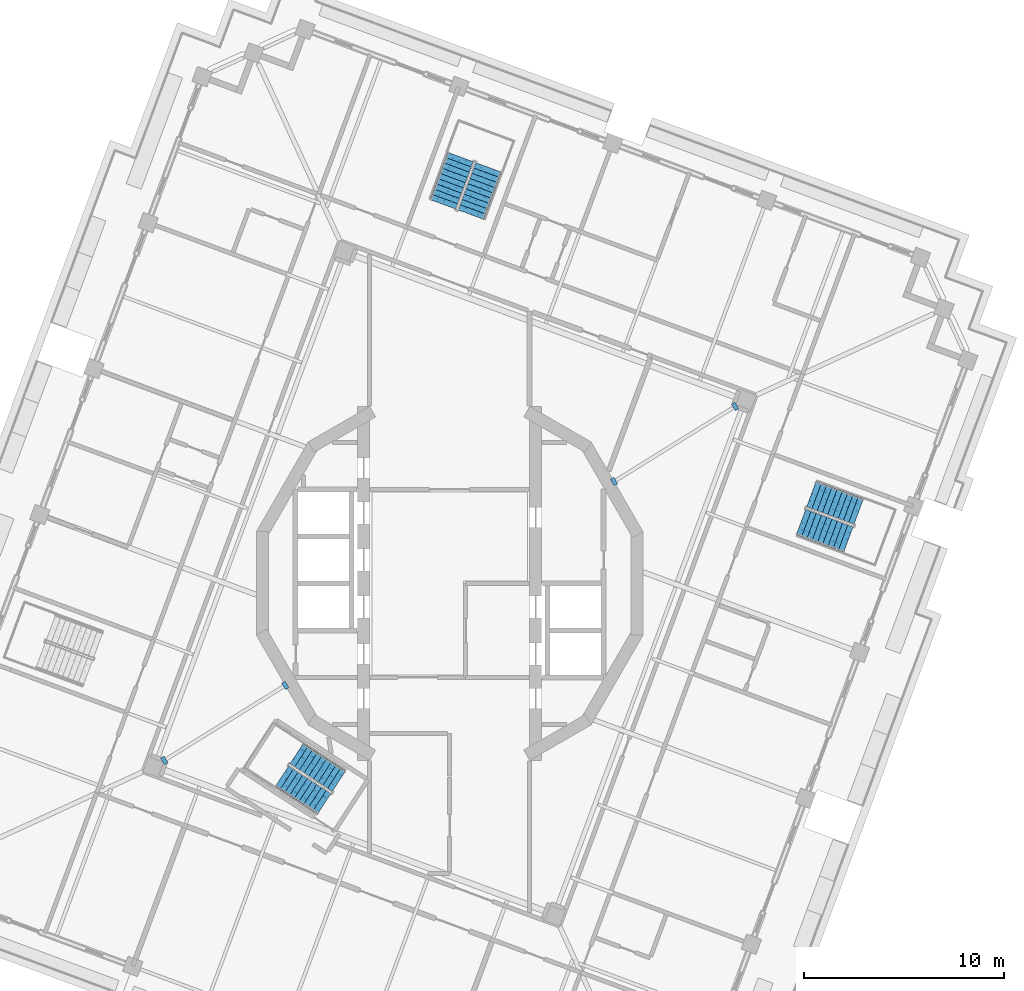
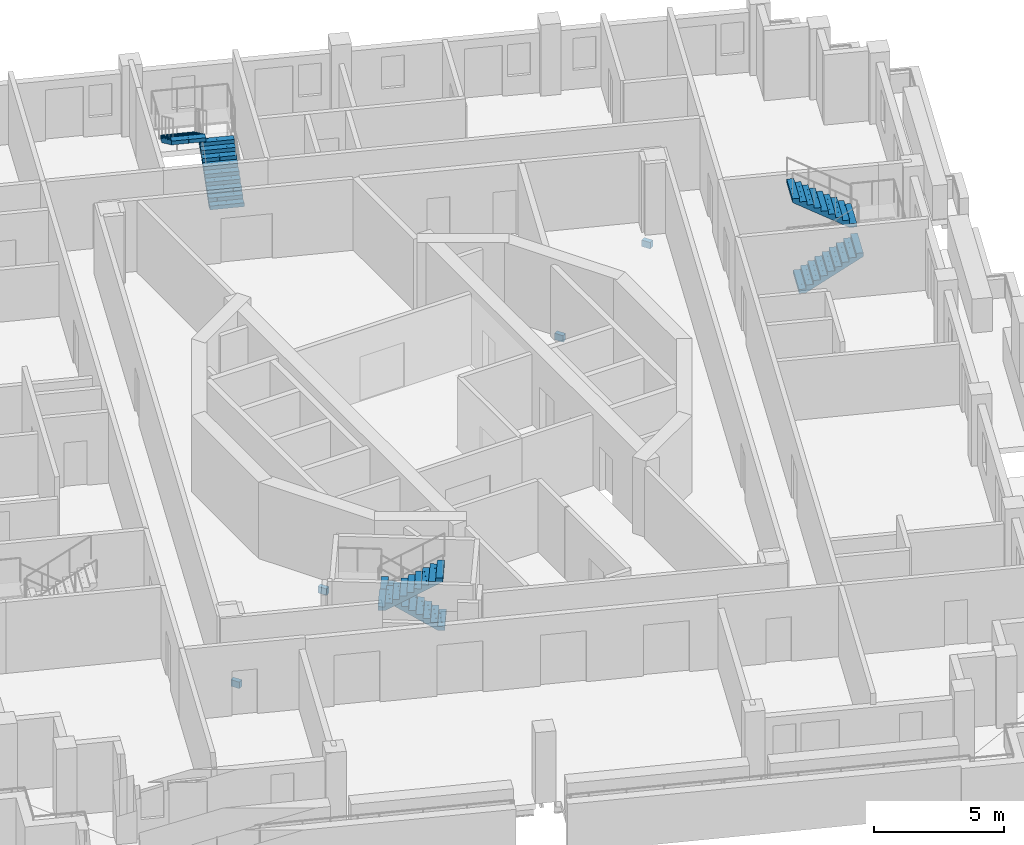
# One storey, part 10 of 18: 6 stair flights, 4 discrete accessories, 3 elements without a shape of their own.
"""IFC4 building model written with IfcOpenShell, lengths in metres."""

from ifc_helpers import new_model, si_unit, direction, frame, origin, place, context, subcontext, project, spatial, polyline, outline, extrude, material, layer, layer_set, type_object, element, aggregate, save


model = new_model("IFC4")

# Units and contexts
model_context = context("Model", 3, precision=1e-05, world=origin(), true_north=direction((0.0, 1.0)))
body_context = subcontext(model_context, "Body", "Model", "MODEL_VIEW")
ifc_project = project(units=[si_unit("LENGTHUNIT", "METRE"), si_unit("AREAUNIT", "SQUARE_METRE"), si_unit("VOLUMEUNIT", "CUBIC_METRE"), si_unit("PLANEANGLEUNIT", "RADIAN"), si_unit("MASSUNIT", "GRAM", prefix="KILO")], contexts=[model_context])

# Site, building, storey
site_placement = place(None, origin())
site = spatial("IfcSite", under=ifc_project, at=site_placement, CompositionType="ELEMENT")
building_placement = place(site_placement, origin())
building = spatial("IfcBuilding", under=site, at=building_placement, Name="Cantera Rosa Tower", CompositionType="ELEMENT")
storey_placement = place(building_placement, frame((0.0, 0.0, 316.89990234375)))
storey = spatial("IfcBuildingStorey", under=building, at=storey_placement, Name="L70", CompositionType="ELEMENT", Elevation=316.89990234375)

# Stair, stair flights
ifc_material_1 = material(Name="Concrete C35/45", Category="concrete")
stair_type_1 = type_object("IfcStairType", Name="EXIT STAIR 1200 DOGLEG", PredefinedType="HALF_TURN_STAIR", material=ifc_material_1)
stair_1_placement = place(storey_placement, origin())
stair_1 = element("IfcStair", 1, at=stair_1_placement, inside=storey, type_object=stair_type_1, Name="L70 ST-64", PredefinedType="HALF_TURN_STAIR")
ifc_material_2 = material(Name="Concrete C35/45", Category="concrete")
stair_flight_type_1 = type_object("IfcStairFlightType", Name="STAIR FLIGHT 1200 R20x180", PredefinedType="STRAIGHT", material=ifc_material_2)
stair_flight_1_placement = place(storey_placement, frame((-5.532470703125, -9.878173828125, 0.0), z_axis=(0.0, 0.0, 1.0), x_axis=(-0.838670567945, 0.544639035015, 0.0)))
stair_flight_1 = element("IfcStairFlight", 2, at=stair_flight_1_placement, type_object=stair_flight_type_1, Name="ST-64 flight 1", NumberOfRisers=10, NumberOfTreads=9, PredefinedType="STRAIGHT", RiserHeight=0.18, TreadLength=0.28, context=body_context, shape_type="SweptSolid", body=[
    extrude(outline(polyline([(0.0, 0.0), (0.0, 0.179931640625), (0.280029296875, 0.179931640625), (0.280029296875, 0.360107421875), (0.56005859375, 0.360107421875), (0.56005859375, 0.5400390625), (0.840087890625, 0.5400390625), (0.840087890625, 0.719970703125), (1.1201171875, 0.719970703125), (1.1201171875, 0.89990234375), (1.39990234375, 0.89990234375), (1.39990234375, 1.080078125), (1.679931640625, 1.080078125), (1.679931640625, 1.260009765625), (1.9599609375, 1.260009765625), (1.9599609375, 1.43994140625), (2.239990234375, 1.43994140625), (2.239990234375, 1.6201171875), (2.52001953125, 1.6201171875), (2.52001953125, 1.800048828125), (2.52001953125, 1.44189453125), (0.277099609375, 0.0), (0.0, 0.0)])), frame((0.0, 0.60009765625, 0.0), z_axis=(0.0, -1.0, 0.0), x_axis=(1.0, 0.0, 0.0)), (0.0, 0.0, 1.0), 0.298583984375),
    extrude(outline(polyline([(0.0, 0.0), (0.0, 0.179931640625), (0.280029296875, 0.179931640625), (0.280029296875, 0.360107421875), (0.56005859375, 0.360107421875), (0.56005859375, 0.5400390625), (0.840087890625, 0.5400390625), (0.840087890625, 0.719970703125), (1.1201171875, 0.719970703125), (1.1201171875, 0.89990234375), (1.39990234375, 0.89990234375), (1.39990234375, 1.080078125), (1.679931640625, 1.080078125), (1.679931640625, 1.260009765625), (1.9599609375, 1.260009765625), (1.9599609375, 1.43994140625), (2.239990234375, 1.43994140625), (2.239990234375, 1.6201171875), (2.52001953125, 1.6201171875), (2.52001953125, 1.800048828125), (2.52001953125, 1.44189453125), (0.277099609375, 0.0), (0.0, 0.0)])), frame((0.0, 0.29931640625, 0.0), z_axis=(0.0, -1.0, 0.0), x_axis=(1.0, 0.0, 0.0)), (0.0, 0.0, 1.0), 0.298583984375),
    extrude(outline(polyline([(0.0, 0.0), (0.0, 0.179931640625), (0.280029296875, 0.179931640625), (0.280029296875, 0.360107421875), (0.56005859375, 0.360107421875), (0.56005859375, 0.5400390625), (0.840087890625, 0.5400390625), (0.840087890625, 0.719970703125), (1.1201171875, 0.719970703125), (1.1201171875, 0.89990234375), (1.39990234375, 0.89990234375), (1.39990234375, 1.080078125), (1.679931640625, 1.080078125), (1.679931640625, 1.260009765625), (1.9599609375, 1.260009765625), (1.9599609375, 1.43994140625), (2.239990234375, 1.43994140625), (2.239990234375, 1.6201171875), (2.52001953125, 1.6201171875), (2.52001953125, 1.800048828125), (2.52001953125, 1.44189453125), (0.277099609375, 0.0), (0.0, 0.0)])), frame((0.0, -0.0009765625, 0.0), z_axis=(0.0, -1.0, 0.0), x_axis=(1.0, 0.0, 0.0)), (0.0, 0.0, 1.0), 0.298583984375),
    extrude(outline(polyline([(0.0, 0.0), (0.0, 0.179931640625), (0.280029296875, 0.179931640625), (0.280029296875, 0.360107421875), (0.56005859375, 0.360107421875), (0.56005859375, 0.5400390625), (0.840087890625, 0.5400390625), (0.840087890625, 0.719970703125), (1.1201171875, 0.719970703125), (1.1201171875, 0.89990234375), (1.39990234375, 0.89990234375), (1.39990234375, 1.080078125), (1.679931640625, 1.080078125), (1.679931640625, 1.260009765625), (1.9599609375, 1.260009765625), (1.9599609375, 1.43994140625), (2.239990234375, 1.43994140625), (2.239990234375, 1.6201171875), (2.52001953125, 1.6201171875), (2.52001953125, 1.800048828125), (2.52001953125, 1.44189453125), (0.277099609375, 0.0), (0.0, 0.0)])), frame((0.0, -0.3017578125, 0.0), z_axis=(0.0, -1.0, 0.0), x_axis=(1.0, 0.0, 0.0)), (0.0, 0.0, 1.0), 0.298583984375),
])
stair_flight_2_placement = place(storey_placement, frame((-8.381103515625, -9.6376953125, 1.800048828125), z_axis=(0.0, 0.0, 1.0), x_axis=(0.838670567945, -0.544639035015, 0.0)))
stair_flight_2 = element("IfcStairFlight", 3, at=stair_flight_2_placement, type_object=stair_flight_type_1, Name="ST-64 flight 2", NumberOfRisers=10, NumberOfTreads=9, PredefinedType="STRAIGHT", RiserHeight=0.18, TreadLength=0.28, context=body_context, shape_type="SweptSolid", body=[
    extrude(outline(polyline([(0.0, 0.0), (0.0, 0.179931640625), (0.280029296875, 0.179931640625), (0.280029296875, 0.360107421875), (0.56005859375, 0.360107421875), (0.56005859375, 0.5400390625), (0.840087890625, 0.5400390625), (0.840087890625, 0.719970703125), (1.1201171875, 0.719970703125), (1.1201171875, 0.89990234375), (1.39990234375, 0.89990234375), (1.39990234375, 1.080078125), (1.679931640625, 1.080078125), (1.679931640625, 1.260009765625), (1.9599609375, 1.260009765625), (1.9599609375, 1.43994140625), (2.239990234375, 1.43994140625), (2.239990234375, 1.6201171875), (2.52001953125, 1.6201171875), (2.52001953125, 1.800048828125), (2.52001953125, 1.44189453125), (0.277099609375, 0.0), (0.0, 0.0)])), frame((0.0, 0.60009765625, 0.0), z_axis=(0.0, -1.0, 0.0), x_axis=(1.0, 0.0, 0.0)), (0.0, 0.0, 1.0), 0.298583984375),
    extrude(outline(polyline([(0.0, 0.0), (0.0, 0.179931640625), (0.280029296875, 0.179931640625), (0.280029296875, 0.360107421875), (0.56005859375, 0.360107421875), (0.56005859375, 0.5400390625), (0.840087890625, 0.5400390625), (0.840087890625, 0.719970703125), (1.1201171875, 0.719970703125), (1.1201171875, 0.89990234375), (1.39990234375, 0.89990234375), (1.39990234375, 1.080078125), (1.679931640625, 1.080078125), (1.679931640625, 1.260009765625), (1.9599609375, 1.260009765625), (1.9599609375, 1.43994140625), (2.239990234375, 1.43994140625), (2.239990234375, 1.6201171875), (2.52001953125, 1.6201171875), (2.52001953125, 1.800048828125), (2.52001953125, 1.44189453125), (0.277099609375, 0.0), (0.0, 0.0)])), frame((0.0, 0.29931640625, 0.0), z_axis=(0.0, -1.0, 0.0), x_axis=(1.0, 0.0, 0.0)), (0.0, 0.0, 1.0), 0.298583984375),
    extrude(outline(polyline([(0.0, 0.0), (0.0, 0.179931640625), (0.280029296875, 0.179931640625), (0.280029296875, 0.360107421875), (0.56005859375, 0.360107421875), (0.56005859375, 0.5400390625), (0.840087890625, 0.5400390625), (0.840087890625, 0.719970703125), (1.1201171875, 0.719970703125), (1.1201171875, 0.89990234375), (1.39990234375, 0.89990234375), (1.39990234375, 1.080078125), (1.679931640625, 1.080078125), (1.679931640625, 1.260009765625), (1.9599609375, 1.260009765625), (1.9599609375, 1.43994140625), (2.239990234375, 1.43994140625), (2.239990234375, 1.6201171875), (2.52001953125, 1.6201171875), (2.52001953125, 1.800048828125), (2.52001953125, 1.44189453125), (0.277099609375, 0.0), (0.0, 0.0)])), frame((0.0, -0.0009765625, 0.0), z_axis=(0.0, -1.0, 0.0), x_axis=(1.0, 0.0, 0.0)), (0.0, 0.0, 1.0), 0.298583984375),
    extrude(outline(polyline([(0.0, 0.0), (0.0, 0.179931640625), (0.280029296875, 0.179931640625), (0.280029296875, 0.360107421875), (0.56005859375, 0.360107421875), (0.56005859375, 0.5400390625), (0.840087890625, 0.5400390625), (0.840087890625, 0.719970703125), (1.1201171875, 0.719970703125), (1.1201171875, 0.89990234375), (1.39990234375, 0.89990234375), (1.39990234375, 1.080078125), (1.679931640625, 1.080078125), (1.679931640625, 1.260009765625), (1.9599609375, 1.260009765625), (1.9599609375, 1.43994140625), (2.239990234375, 1.43994140625), (2.239990234375, 1.6201171875), (2.52001953125, 1.6201171875), (2.52001953125, 1.800048828125), (2.52001953125, 1.44189453125), (0.277099609375, 0.0), (0.0, 0.0)])), frame((0.0, -0.3017578125, 0.0), z_axis=(0.0, -1.0, 0.0), x_axis=(1.0, 0.0, 0.0)), (0.0, 0.0, 1.0), 0.298583984375),
])
aggregate(stair_1, [stair_flight_1, stair_flight_2])

ifc_material_3 = material(Name="Concrete C35/45", Category="concrete")
stair_type_2 = type_object("IfcStairType", Name="EXIT STAIR 1350 DOGLEG", PredefinedType="HALF_TURN_STAIR", material=ifc_material_3)
stair_2_placement = place(storey_placement, origin())
stair_2 = element("IfcStair", 4, at=stair_2_placement, inside=storey, type_object=stair_type_2, Name="L70 ST-61", PredefinedType="HALF_TURN_STAIR")
ifc_material_4 = material(Name="Concrete C35/45", Category="concrete")
stair_flight_type_2 = type_object("IfcStairFlightType", Name="STAIR FLIGHT 1350 R20x180", PredefinedType="STRAIGHT", material=ifc_material_4)
stair_flight_3_placement = place(storey_placement, frame((17.55908203125, 3.064453125, 0.0), z_axis=(0.0, 0.0, 1.0), x_axis=(0.937686938944, -0.347481229039, 0.0)))
stair_flight_3 = element("IfcStairFlight", 5, at=stair_flight_3_placement, type_object=stair_flight_type_2, Name="ST-61 flight 1", NumberOfRisers=10, NumberOfTreads=9, PredefinedType="STRAIGHT", RiserHeight=0.18, TreadLength=0.28, context=body_context, shape_type="SweptSolid", body=[
    extrude(outline(polyline([(0.0, 0.0), (0.0, 0.179931640625), (0.280029296875, 0.179931640625), (0.280029296875, 0.360107421875), (0.56005859375, 0.360107421875), (0.56005859375, 0.5400390625), (0.840087890625, 0.5400390625), (0.840087890625, 0.719970703125), (1.1201171875, 0.719970703125), (1.1201171875, 0.89990234375), (1.39990234375, 0.89990234375), (1.39990234375, 1.080078125), (1.679931640625, 1.080078125), (1.679931640625, 1.260009765625), (1.9599609375, 1.260009765625), (1.9599609375, 1.43994140625), (2.239990234375, 1.43994140625), (2.239990234375, 1.6201171875), (2.52001953125, 1.6201171875), (2.52001953125, 1.800048828125), (2.52001953125, 1.44189453125), (0.277099609375, 0.0), (0.0, 0.0)])), frame((0.0, 0.675048828125, 0.0), z_axis=(0.0, -1.0, 0.0), x_axis=(1.0, 0.0, 0.0)), (0.0, 0.0, 1.0), 0.3359375),
    extrude(outline(polyline([(0.0, 0.0), (0.0, 0.179931640625), (0.280029296875, 0.179931640625), (0.280029296875, 0.360107421875), (0.56005859375, 0.360107421875), (0.56005859375, 0.5400390625), (0.840087890625, 0.5400390625), (0.840087890625, 0.719970703125), (1.1201171875, 0.719970703125), (1.1201171875, 0.89990234375), (1.39990234375, 0.89990234375), (1.39990234375, 1.080078125), (1.679931640625, 1.080078125), (1.679931640625, 1.260009765625), (1.9599609375, 1.260009765625), (1.9599609375, 1.43994140625), (2.239990234375, 1.43994140625), (2.239990234375, 1.6201171875), (2.52001953125, 1.6201171875), (2.52001953125, 1.800048828125), (2.52001953125, 1.44189453125), (0.277099609375, 0.0), (0.0, 0.0)])), frame((0.0, 0.337158203125, 0.0), z_axis=(0.0, -1.0, 0.0), x_axis=(1.0, 0.0, 0.0)), (0.0, 0.0, 1.0), 0.3359375),
    extrude(outline(polyline([(0.0, 0.0), (0.0, 0.179931640625), (0.280029296875, 0.179931640625), (0.280029296875, 0.360107421875), (0.56005859375, 0.360107421875), (0.56005859375, 0.5400390625), (0.840087890625, 0.5400390625), (0.840087890625, 0.719970703125), (1.1201171875, 0.719970703125), (1.1201171875, 0.89990234375), (1.39990234375, 0.89990234375), (1.39990234375, 1.080078125), (1.679931640625, 1.080078125), (1.679931640625, 1.260009765625), (1.9599609375, 1.260009765625), (1.9599609375, 1.43994140625), (2.239990234375, 1.43994140625), (2.239990234375, 1.6201171875), (2.52001953125, 1.6201171875), (2.52001953125, 1.800048828125), (2.52001953125, 1.44189453125), (0.277099609375, 0.0), (0.0, 0.0)])), frame((0.0, -0.000732421875, 0.0), z_axis=(0.0, -1.0, 0.0), x_axis=(1.0, 0.0, 0.0)), (0.0, 0.0, 1.0), 0.3359375),
    extrude(outline(polyline([(0.0, 0.0), (0.0, 0.179931640625), (0.280029296875, 0.179931640625), (0.280029296875, 0.360107421875), (0.56005859375, 0.360107421875), (0.56005859375, 0.5400390625), (0.840087890625, 0.5400390625), (0.840087890625, 0.719970703125), (1.1201171875, 0.719970703125), (1.1201171875, 0.89990234375), (1.39990234375, 0.89990234375), (1.39990234375, 1.080078125), (1.679931640625, 1.080078125), (1.679931640625, 1.260009765625), (1.9599609375, 1.260009765625), (1.9599609375, 1.43994140625), (2.239990234375, 1.43994140625), (2.239990234375, 1.6201171875), (2.52001953125, 1.6201171875), (2.52001953125, 1.800048828125), (2.52001953125, 1.44189453125), (0.277099609375, 0.0), (0.0, 0.0)])), frame((0.0, -0.338623046875, 0.0), z_axis=(0.0, -1.0, 0.0), x_axis=(1.0, 0.0, 0.0)), (0.0, 0.0, 1.0), 0.3359375),
])
stair_flight_4_placement = place(storey_placement, frame((20.443115234375, 3.595458984375, 1.800048828125), z_axis=(0.0, 0.0, 1.0), x_axis=(-0.937686938944, 0.347481229039, 0.0)))
stair_flight_4 = element("IfcStairFlight", 6, at=stair_flight_4_placement, type_object=stair_flight_type_2, Name="ST-61 flight 2", NumberOfRisers=10, NumberOfTreads=9, PredefinedType="STRAIGHT", RiserHeight=0.18, TreadLength=0.28, context=body_context, shape_type="SweptSolid", body=[
    extrude(outline(polyline([(0.0, 0.0), (0.0, 0.179931640625), (0.280029296875, 0.179931640625), (0.280029296875, 0.360107421875), (0.56005859375, 0.360107421875), (0.56005859375, 0.5400390625), (0.840087890625, 0.5400390625), (0.840087890625, 0.719970703125), (1.1201171875, 0.719970703125), (1.1201171875, 0.89990234375), (1.39990234375, 0.89990234375), (1.39990234375, 1.080078125), (1.679931640625, 1.080078125), (1.679931640625, 1.260009765625), (1.9599609375, 1.260009765625), (1.9599609375, 1.43994140625), (2.239990234375, 1.43994140625), (2.239990234375, 1.6201171875), (2.52001953125, 1.6201171875), (2.52001953125, 1.800048828125), (2.52001953125, 1.44189453125), (0.277099609375, 0.0), (0.0, 0.0)])), frame((0.0, 0.675048828125, 0.0), z_axis=(0.0, -1.0, 0.0), x_axis=(1.0, 0.0, 0.0)), (0.0, 0.0, 1.0), 0.3359375),
    extrude(outline(polyline([(0.0, 0.0), (0.0, 0.179931640625), (0.280029296875, 0.179931640625), (0.280029296875, 0.360107421875), (0.56005859375, 0.360107421875), (0.56005859375, 0.5400390625), (0.840087890625, 0.5400390625), (0.840087890625, 0.719970703125), (1.1201171875, 0.719970703125), (1.1201171875, 0.89990234375), (1.39990234375, 0.89990234375), (1.39990234375, 1.080078125), (1.679931640625, 1.080078125), (1.679931640625, 1.260009765625), (1.9599609375, 1.260009765625), (1.9599609375, 1.43994140625), (2.239990234375, 1.43994140625), (2.239990234375, 1.6201171875), (2.52001953125, 1.6201171875), (2.52001953125, 1.800048828125), (2.52001953125, 1.44189453125), (0.277099609375, 0.0), (0.0, 0.0)])), frame((0.0, 0.337158203125, 0.0), z_axis=(0.0, -1.0, 0.0), x_axis=(1.0, 0.0, 0.0)), (0.0, 0.0, 1.0), 0.3359375),
    extrude(outline(polyline([(0.0, 0.0), (0.0, 0.179931640625), (0.280029296875, 0.179931640625), (0.280029296875, 0.360107421875), (0.56005859375, 0.360107421875), (0.56005859375, 0.5400390625), (0.840087890625, 0.5400390625), (0.840087890625, 0.719970703125), (1.1201171875, 0.719970703125), (1.1201171875, 0.89990234375), (1.39990234375, 0.89990234375), (1.39990234375, 1.080078125), (1.679931640625, 1.080078125), (1.679931640625, 1.260009765625), (1.9599609375, 1.260009765625), (1.9599609375, 1.43994140625), (2.239990234375, 1.43994140625), (2.239990234375, 1.6201171875), (2.52001953125, 1.6201171875), (2.52001953125, 1.800048828125), (2.52001953125, 1.44189453125), (0.277099609375, 0.0), (0.0, 0.0)])), frame((0.0, -0.000732421875, 0.0), z_axis=(0.0, -1.0, 0.0), x_axis=(1.0, 0.0, 0.0)), (0.0, 0.0, 1.0), 0.3359375),
    extrude(outline(polyline([(0.0, 0.0), (0.0, 0.179931640625), (0.280029296875, 0.179931640625), (0.280029296875, 0.360107421875), (0.56005859375, 0.360107421875), (0.56005859375, 0.5400390625), (0.840087890625, 0.5400390625), (0.840087890625, 0.719970703125), (1.1201171875, 0.719970703125), (1.1201171875, 0.89990234375), (1.39990234375, 0.89990234375), (1.39990234375, 1.080078125), (1.679931640625, 1.080078125), (1.679931640625, 1.260009765625), (1.9599609375, 1.260009765625), (1.9599609375, 1.43994140625), (2.239990234375, 1.43994140625), (2.239990234375, 1.6201171875), (2.52001953125, 1.6201171875), (2.52001953125, 1.800048828125), (2.52001953125, 1.44189453125), (0.277099609375, 0.0), (0.0, 0.0)])), frame((0.0, -0.338623046875, 0.0), z_axis=(0.0, -1.0, 0.0), x_axis=(1.0, 0.0, 0.0)), (0.0, 0.0, 1.0), 0.3359375),
])
aggregate(stair_2, [stair_flight_3, stair_flight_4])

stair_3_placement = place(storey_placement, origin())
stair_3 = element("IfcStair", 7, at=stair_3_placement, inside=storey, type_object=stair_type_2, Name="L70 ST-62", PredefinedType="HALF_TURN_STAIR")
stair_flight_5_placement = place(storey_placement, frame((1.069580078125, 18.426513671875, 0.0), z_axis=(0.0, 0.0, 1.0), x_axis=(0.347481229039, 0.937686938944, 0.0)))
stair_flight_5 = element("IfcStairFlight", 8, at=stair_flight_5_placement, type_object=stair_flight_type_2, Name="ST-62 flight 1", NumberOfRisers=10, NumberOfTreads=9, PredefinedType="STRAIGHT", RiserHeight=0.18, TreadLength=0.28, context=body_context, shape_type="SweptSolid", body=[
    extrude(outline(polyline([(0.0, 0.0), (0.0, 0.179931640625), (0.280029296875, 0.179931640625), (0.280029296875, 0.360107421875), (0.56005859375, 0.360107421875), (0.56005859375, 0.5400390625), (0.840087890625, 0.5400390625), (0.840087890625, 0.719970703125), (1.1201171875, 0.719970703125), (1.1201171875, 0.89990234375), (1.39990234375, 0.89990234375), (1.39990234375, 1.080078125), (1.679931640625, 1.080078125), (1.679931640625, 1.260009765625), (1.9599609375, 1.260009765625), (1.9599609375, 1.43994140625), (2.239990234375, 1.43994140625), (2.239990234375, 1.6201171875), (2.52001953125, 1.6201171875), (2.52001953125, 1.800048828125), (2.52001953125, 1.44189453125), (0.277099609375, 0.0), (0.0, 0.0)])), frame((0.0, 0.675048828125, 0.0), z_axis=(0.0, -1.0, 0.0), x_axis=(1.0, 0.0, 0.0)), (0.0, 0.0, 1.0), 0.3359375),
    extrude(outline(polyline([(0.0, 0.0), (0.0, 0.179931640625), (0.280029296875, 0.179931640625), (0.280029296875, 0.360107421875), (0.56005859375, 0.360107421875), (0.56005859375, 0.5400390625), (0.840087890625, 0.5400390625), (0.840087890625, 0.719970703125), (1.1201171875, 0.719970703125), (1.1201171875, 0.89990234375), (1.39990234375, 0.89990234375), (1.39990234375, 1.080078125), (1.679931640625, 1.080078125), (1.679931640625, 1.260009765625), (1.9599609375, 1.260009765625), (1.9599609375, 1.43994140625), (2.239990234375, 1.43994140625), (2.239990234375, 1.6201171875), (2.52001953125, 1.6201171875), (2.52001953125, 1.800048828125), (2.52001953125, 1.44189453125), (0.277099609375, 0.0), (0.0, 0.0)])), frame((0.0, 0.337158203125, 0.0), z_axis=(0.0, -1.0, 0.0), x_axis=(1.0, 0.0, 0.0)), (0.0, 0.0, 1.0), 0.3359375),
    extrude(outline(polyline([(0.0, 0.0), (0.0, 0.179931640625), (0.280029296875, 0.179931640625), (0.280029296875, 0.360107421875), (0.56005859375, 0.360107421875), (0.56005859375, 0.5400390625), (0.840087890625, 0.5400390625), (0.840087890625, 0.719970703125), (1.1201171875, 0.719970703125), (1.1201171875, 0.89990234375), (1.39990234375, 0.89990234375), (1.39990234375, 1.080078125), (1.679931640625, 1.080078125), (1.679931640625, 1.260009765625), (1.9599609375, 1.260009765625), (1.9599609375, 1.43994140625), (2.239990234375, 1.43994140625), (2.239990234375, 1.6201171875), (2.52001953125, 1.6201171875), (2.52001953125, 1.800048828125), (2.52001953125, 1.44189453125), (0.277099609375, 0.0), (0.0, 0.0)])), frame((0.0, -0.000732421875, 0.0), z_axis=(0.0, -1.0, 0.0), x_axis=(1.0, 0.0, 0.0)), (0.0, 0.0, 1.0), 0.3359375),
    extrude(outline(polyline([(0.0, 0.0), (0.0, 0.179931640625), (0.280029296875, 0.179931640625), (0.280029296875, 0.360107421875), (0.56005859375, 0.360107421875), (0.56005859375, 0.5400390625), (0.840087890625, 0.5400390625), (0.840087890625, 0.719970703125), (1.1201171875, 0.719970703125), (1.1201171875, 0.89990234375), (1.39990234375, 0.89990234375), (1.39990234375, 1.080078125), (1.679931640625, 1.080078125), (1.679931640625, 1.260009765625), (1.9599609375, 1.260009765625), (1.9599609375, 1.43994140625), (2.239990234375, 1.43994140625), (2.239990234375, 1.6201171875), (2.52001953125, 1.6201171875), (2.52001953125, 1.800048828125), (2.52001953125, 1.44189453125), (0.277099609375, 0.0), (0.0, 0.0)])), frame((0.0, -0.338623046875, 0.0), z_axis=(0.0, -1.0, 0.0), x_axis=(1.0, 0.0, 0.0)), (0.0, 0.0, 1.0), 0.3359375),
])
stair_flight_6_placement = place(storey_placement, frame((0.53857421875, 21.310791015625, 1.800048828125), z_axis=(0.0, 0.0, 1.0), x_axis=(-0.347481229039, -0.937686938944, 0.0)))
stair_flight_6 = element("IfcStairFlight", 9, at=stair_flight_6_placement, type_object=stair_flight_type_2, Name="ST-62 flight 2", NumberOfRisers=10, NumberOfTreads=9, PredefinedType="STRAIGHT", RiserHeight=0.18, TreadLength=0.28, context=body_context, shape_type="SweptSolid", body=[
    extrude(outline(polyline([(0.0, 0.0), (0.0, 0.179931640625), (0.280029296875, 0.179931640625), (0.280029296875, 0.360107421875), (0.56005859375, 0.360107421875), (0.56005859375, 0.5400390625), (0.840087890625, 0.5400390625), (0.840087890625, 0.719970703125), (1.1201171875, 0.719970703125), (1.1201171875, 0.89990234375), (1.39990234375, 0.89990234375), (1.39990234375, 1.080078125), (1.679931640625, 1.080078125), (1.679931640625, 1.260009765625), (1.9599609375, 1.260009765625), (1.9599609375, 1.43994140625), (2.239990234375, 1.43994140625), (2.239990234375, 1.6201171875), (2.52001953125, 1.6201171875), (2.52001953125, 1.800048828125), (2.52001953125, 1.44189453125), (0.277099609375, 0.0), (0.0, 0.0)])), frame((0.0, 0.675048828125, 0.0), z_axis=(0.0, -1.0, 0.0), x_axis=(1.0, 0.0, 0.0)), (0.0, 0.0, 1.0), 0.3359375),
    extrude(outline(polyline([(0.0, 0.0), (0.0, 0.179931640625), (0.280029296875, 0.179931640625), (0.280029296875, 0.360107421875), (0.56005859375, 0.360107421875), (0.56005859375, 0.5400390625), (0.840087890625, 0.5400390625), (0.840087890625, 0.719970703125), (1.1201171875, 0.719970703125), (1.1201171875, 0.89990234375), (1.39990234375, 0.89990234375), (1.39990234375, 1.080078125), (1.679931640625, 1.080078125), (1.679931640625, 1.260009765625), (1.9599609375, 1.260009765625), (1.9599609375, 1.43994140625), (2.239990234375, 1.43994140625), (2.239990234375, 1.6201171875), (2.52001953125, 1.6201171875), (2.52001953125, 1.800048828125), (2.52001953125, 1.44189453125), (0.277099609375, 0.0), (0.0, 0.0)])), frame((0.0, 0.337158203125, 0.0), z_axis=(0.0, -1.0, 0.0), x_axis=(1.0, 0.0, 0.0)), (0.0, 0.0, 1.0), 0.3359375),
    extrude(outline(polyline([(0.0, 0.0), (0.0, 0.179931640625), (0.280029296875, 0.179931640625), (0.280029296875, 0.360107421875), (0.56005859375, 0.360107421875), (0.56005859375, 0.5400390625), (0.840087890625, 0.5400390625), (0.840087890625, 0.719970703125), (1.1201171875, 0.719970703125), (1.1201171875, 0.89990234375), (1.39990234375, 0.89990234375), (1.39990234375, 1.080078125), (1.679931640625, 1.080078125), (1.679931640625, 1.260009765625), (1.9599609375, 1.260009765625), (1.9599609375, 1.43994140625), (2.239990234375, 1.43994140625), (2.239990234375, 1.6201171875), (2.52001953125, 1.6201171875), (2.52001953125, 1.800048828125), (2.52001953125, 1.44189453125), (0.277099609375, 0.0), (0.0, 0.0)])), frame((0.0, -0.000732421875, 0.0), z_axis=(0.0, -1.0, 0.0), x_axis=(1.0, 0.0, 0.0)), (0.0, 0.0, 1.0), 0.3359375),
    extrude(outline(polyline([(0.0, 0.0), (0.0, 0.179931640625), (0.280029296875, 0.179931640625), (0.280029296875, 0.360107421875), (0.56005859375, 0.360107421875), (0.56005859375, 0.5400390625), (0.840087890625, 0.5400390625), (0.840087890625, 0.719970703125), (1.1201171875, 0.719970703125), (1.1201171875, 0.89990234375), (1.39990234375, 0.89990234375), (1.39990234375, 1.080078125), (1.679931640625, 1.080078125), (1.679931640625, 1.260009765625), (1.9599609375, 1.260009765625), (1.9599609375, 1.43994140625), (2.239990234375, 1.43994140625), (2.239990234375, 1.6201171875), (2.52001953125, 1.6201171875), (2.52001953125, 1.800048828125), (2.52001953125, 1.44189453125), (0.277099609375, 0.0), (0.0, 0.0)])), frame((0.0, -0.338623046875, 0.0), z_axis=(0.0, -1.0, 0.0), x_axis=(1.0, 0.0, 0.0)), (0.0, 0.0, 1.0), 0.3359375),
])
aggregate(stair_3, [stair_flight_5, stair_flight_6])

# Discrete accessories
ifc_material_5 = material(Name="Steel ASTM A992 (Fy 345 MPa)", Category="steel")
ifc_layer = layer(ifc_material_5, 0.0400390625)
ifc_layer_set = layer_set([ifc_layer], Name="STEEL BEARING PLATE 40")
discrete_accessory_type = type_object("IfcDiscreteAccessoryType", Name="STEEL BEARING PLATE 40", PredefinedType="ANCHORPLATE", material=ifc_layer_set)
discrete_accessory_1_placement = place(storey_placement, frame((0.0, 0.0, -0.60595703125)))
element("IfcDiscreteAccessory", 10, at=discrete_accessory_1_placement, inside=storey, type_object=discrete_accessory_type, Name="BEARING PLATE PG-Z6-01 end 1 L70", PredefinedType="ANCHORPLATE", context=body_context, shape_type="SweptSolid", body=[
    extrude(outline(polyline([(-14.277099609375, -8.6318359375), (-14.447021484375, -8.7373046875), (-14.247802734375, -9.05859375), (-14.077880859375, -8.953125), (-14.277099609375, -8.6318359375)])), origin(), (0.0, 0.0, 1.0), 0.30615234375),
])
discrete_accessory_2_placement = place(storey_placement, frame((0.0, 0.0, -0.60595703125)))
element("IfcDiscreteAccessory", 11, at=discrete_accessory_2_placement, inside=storey, type_object=discrete_accessory_type, Name="BEARING PLATE PG-Z6-01 end 2 L70", PredefinedType="ANCHORPLATE", context=body_context, shape_type="SweptSolid", body=[
    extrude(outline(polyline([(-8.1982421875, -5.306640625), (-8.0283203125, -5.201416015625), (-8.2275390625, -4.880126953125), (-8.3974609375, -4.985595703125), (-8.1982421875, -5.306640625)])), origin(), (0.0, 0.0, 1.0), 0.30615234375),
])
discrete_accessory_3_placement = place(storey_placement, frame((0.0, 0.0, -0.60595703125)))
element("IfcDiscreteAccessory", 12, at=discrete_accessory_3_placement, inside=storey, type_object=discrete_accessory_type, Name="BEARING PLATE PG-Z6-02 end 1 L70", PredefinedType="ANCHORPLATE", context=body_context, shape_type="SweptSolid", body=[
    extrude(outline(polyline([(14.277099609375, 8.6318359375), (14.447021484375, 8.7373046875), (14.247802734375, 9.05859375), (14.077880859375, 8.953125), (14.277099609375, 8.6318359375)])), origin(), (0.0, 0.0, 1.0), 0.30615234375),
])
discrete_accessory_4_placement = place(storey_placement, frame((0.0, 0.0, -0.60595703125)))
element("IfcDiscreteAccessory", 13, at=discrete_accessory_4_placement, inside=storey, type_object=discrete_accessory_type, Name="BEARING PLATE PG-Z6-02 end 2 L70", PredefinedType="ANCHORPLATE", context=body_context, shape_type="SweptSolid", body=[
    extrude(outline(polyline([(8.1982421875, 5.306640625), (8.0283203125, 5.201416015625), (8.2275390625, 4.880126953125), (8.3974609375, 4.985595703125), (8.1982421875, 5.306640625)])), origin(), (0.0, 0.0, 1.0), 0.30615234375),
])

save(model, "model.ifc")
